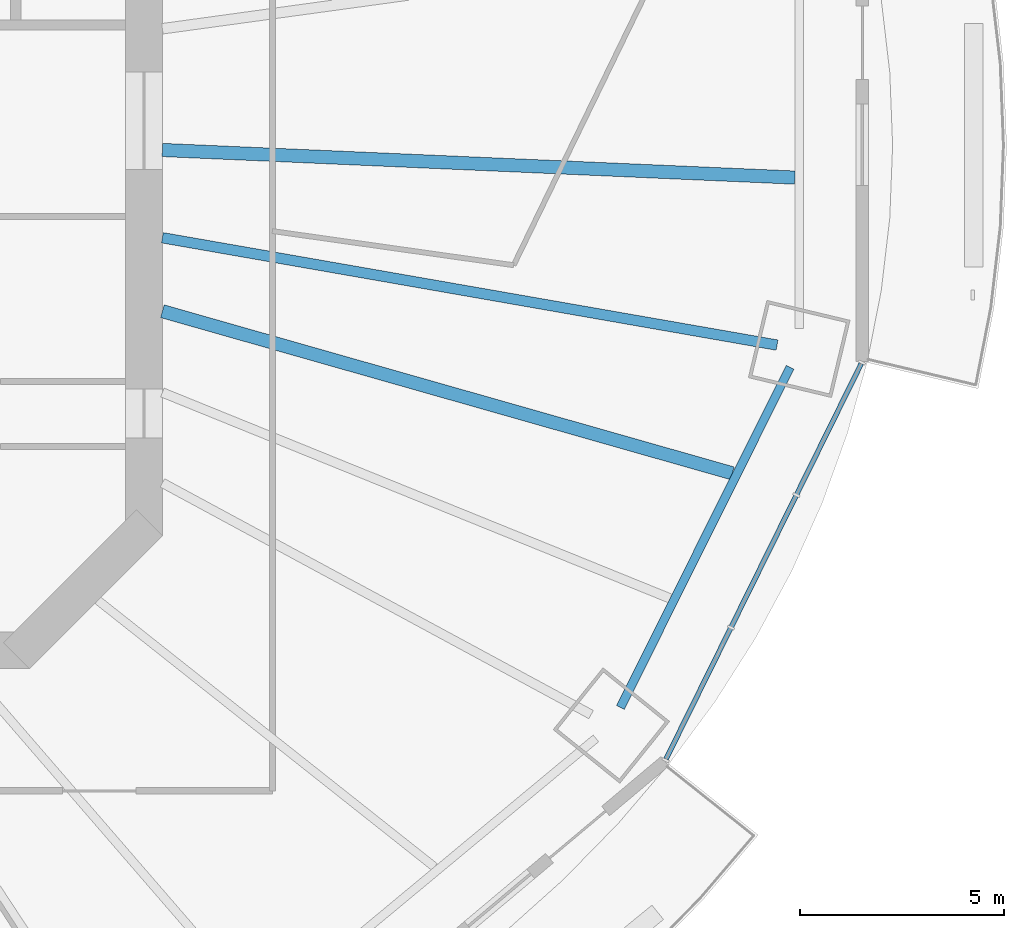
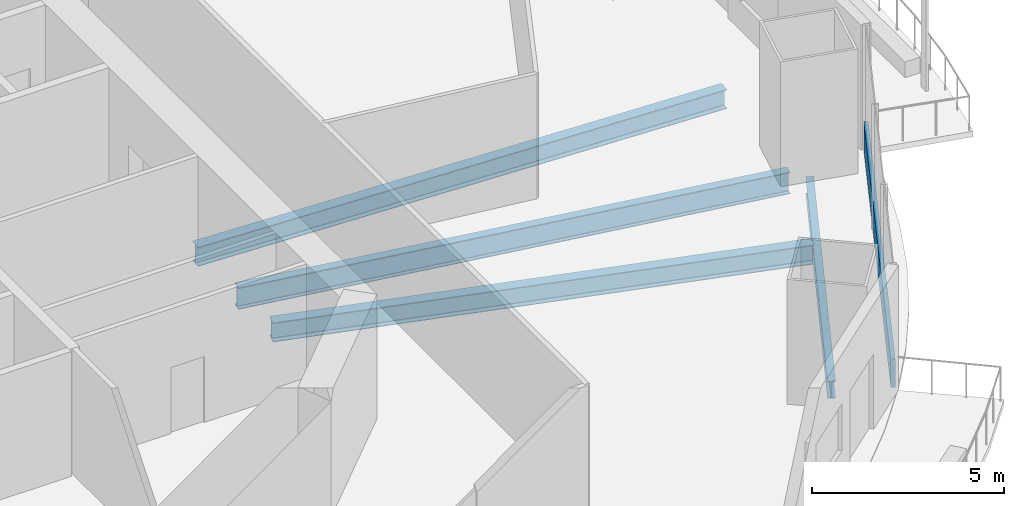
# One storey, part 5 of 20: 4 beams, 1 member, 1 element without a shape of its own.
"""IFC4 building model written with IfcOpenShell, lengths in metres."""

from ifc_helpers import new_model, si_unit, direction, frame, origin, origin_2d, place, context, subcontext, project, spatial, rectangle, i_section, extrude, material, material_profile, profile_set, type_object, element, aggregate, save


model = new_model("IFC4")

# Units and contexts
model_context = context("Model", 3, precision=1e-05, world=origin(), true_north=direction((0.0, 1.0)))
body_context = subcontext(model_context, "Body", "Model", "MODEL_VIEW")
ifc_project = project(units=[si_unit("LENGTHUNIT", "METRE"), si_unit("AREAUNIT", "SQUARE_METRE"), si_unit("VOLUMEUNIT", "CUBIC_METRE"), si_unit("PLANEANGLEUNIT", "RADIAN"), si_unit("MASSUNIT", "GRAM", prefix="KILO")], contexts=[model_context])

# Site, building, storey
site_placement = place(None, origin())
site = spatial("IfcSite", under=ifc_project, at=site_placement, CompositionType="ELEMENT")
building_placement = place(site_placement, origin())
building = spatial("IfcBuilding", under=site, at=building_placement, Name="Marenthal Gate Tower", CompositionType="ELEMENT")
storey_placement = place(building_placement, frame((0.0, 0.0, 181.800048828125)))
storey = spatial("IfcBuildingStorey", under=building, at=storey_placement, Name="L39", CompositionType="ELEMENT", Elevation=181.800048828125)

# Curtain wall, member
ifc_material_1 = material(Name="Aluminium and glass", Category="aluminium")
curtain_wall_type = type_object("IfcCurtainWallType", Name="Curtain wall typical mid", PredefinedType="NOTDEFINED", material=ifc_material_1)
curtain_wall_placement = place(storey_placement, origin())
curtain_wall = element("IfcCurtainWall", 1, at=curtain_wall_placement, inside=storey, type_object=curtain_wall_type, Name="Curtain wall L39 bay 15", PredefinedType="NOTDEFINED")
ifc_material_2 = material(Name="Aluminium", Category="aluminium")
ifc_material_profile_1 = material_profile(ifc_material_2, rectangle(XDim=0.1201171875, YDim=0.89990234375, at=origin_2d()), Name="120x900 aluminium transom")
ifc_profile_set_1 = profile_set([ifc_material_profile_1], Name="Aluminium")
member_type = type_object("IfcMemberType", Name="Transom 120x900 typical mid", PredefinedType="USERDEFINED", material=ifc_profile_set_1)
member_placement = place(storey_placement, frame((28.8134765625, -15.672119140625, 0.449951171875), z_axis=(0.442760838876, 0.896639749039, 0.0), x_axis=(-0.896639749039, 0.442760838876, 0.0)))
member = element("IfcMember", 2, at=member_placement, type_object=member_type, Name="Transom L39 bay 15", ObjectType="TRANSOM", PredefinedType="USERDEFINED", context=body_context, shape_type="SweptSolid", body=[
    extrude(rectangle(XDim=0.1201171875, YDim=0.89990234375, at=origin_2d()), origin(), (0.0, 0.0, 1.0), 10.82568359375),
])
aggregate(curtain_wall, [member])

# Beams
ifc_material_3 = material(Name="Steel S355", Category="steel")
ifc_material_profile_2 = material_profile(ifc_material_3, i_section(OverallWidth=0.2119140625, OverallDepth=0.5439453125, WebThickness=0.01318359375, FlangeThickness=0.021240234375, FilletRadius=0.0126953125, at=origin_2d()), Name="W530X123")
ifc_profile_set_2 = profile_set([ifc_material_profile_2], Name="Steel S355")
beam_type_1 = type_object("IfcBeamType", Name="W530X123 beam", PredefinedType="BEAM", material=ifc_profile_set_2)
beam_1_placement = place(storey_placement, frame((27.695556640625, -14.402587890625, -0.4521484375), z_axis=(0.446271515311, 0.894897611251, 0.0), x_axis=(-0.894897611251, 0.446271515311, 0.0)))
element("IfcBeam", 3, at=beam_1_placement, inside=storey, type_object=beam_type_1, Name="BM-L39-55", PredefinedType="BEAM", context=body_context, shape_type="SweptSolid", body=[
    extrude(i_section(OverallWidth=0.2119140625, OverallDepth=0.5439453125, WebThickness=0.01318359375, FlangeThickness=0.021240234375, FilletRadius=0.0126953125, at=origin_2d()), origin(), (0.0, 0.0, 1.0), 9.331787109375),
])
ifc_material_4 = material(Name="Steel S355", Category="steel")
ifc_material_profile_3 = material_profile(ifc_material_4, i_section(OverallWidth=0.324951171875, OverallDepth=0.612060546875, WebThickness=0.0126953125, FlangeThickness=0.01904296875, FilletRadius=0.0126953125, at=origin_2d()), Name="W610X155")
ifc_profile_set_3 = profile_set([ifc_material_profile_3], Name="Steel S355")
beam_type_2 = type_object("IfcBeamType", Name="W610X155 beam", PredefinedType="BEAM", material=ifc_profile_set_3)
beam_2_placement = place(storey_placement, frame((30.443115234375, -8.655517578125, -0.486083984375), z_axis=(-0.961877785221, 0.273479663409, 0.0), x_axis=(-0.273479663409, -0.961877785221, 0.0)))
element("IfcBeam", 4, at=beam_2_placement, inside=storey, type_object=beam_type_2, Name="BM-L39-39", PredefinedType="BEAM", context=body_context, shape_type="SweptSolid", body=[
    extrude(i_section(OverallWidth=0.324951171875, OverallDepth=0.612060546875, WebThickness=0.0126953125, FlangeThickness=0.01904296875, FilletRadius=0.0126953125, at=origin_2d()), origin(), (0.0, 0.0, 1.0), 14.5478515625),
])
beam_3_placement = place(storey_placement, frame((31.977783203125, -1.39599609375, -0.486083984375), z_axis=(-0.999048169073, 0.043620590005, 0.0), x_axis=(-0.043620590005, -0.999048169073, 0.0)))
element("IfcBeam", 5, at=beam_3_placement, inside=storey, type_object=beam_type_2, Name="BM-L39-40", PredefinedType="BEAM", context=body_context, shape_type="SweptSolid", body=[
    extrude(i_section(OverallWidth=0.324951171875, OverallDepth=0.612060546875, WebThickness=0.0126953125, FlangeThickness=0.01904296875, FilletRadius=0.0126953125, at=origin_2d()), origin(), (0.0, 0.0, 1.0), 15.542724609375),
])
ifc_material_5 = material(Name="Steel S355", Category="steel")
ifc_material_profile_4 = material_profile(ifc_material_5, i_section(OverallWidth=0.257080078125, OverallDepth=0.693115234375, WebThickness=0.014404296875, FlangeThickness=0.023681640625, FilletRadius=0.015380859375, at=origin_2d()), Name="W690X170")
ifc_profile_set_4 = profile_set([ifc_material_profile_4], Name="Steel S355")
beam_type_3 = type_object("IfcBeamType", Name="W690X170 beam", PredefinedType="BEAM", material=ifc_profile_set_4)
beam_4_placement = place(storey_placement, frame((31.539794921875, -5.50830078125, -0.526611328125), z_axis=(-0.985088325307, 0.172049386353, 0.0), x_axis=(-0.172049386353, -0.985088325307, 0.0)))
element("IfcBeam", 6, at=beam_4_placement, inside=storey, type_object=beam_type_3, Name="BM-L39-16", PredefinedType="BEAM", context=body_context, shape_type="SweptSolid", body=[
    extrude(i_section(OverallWidth=0.257080078125, OverallDepth=0.693115234375, WebThickness=0.014404296875, FlangeThickness=0.023681640625, FilletRadius=0.015380859375, at=origin_2d()), origin(), (0.0, 0.0, 1.0), 15.318359375),
])

save(model, "model.ifc")
